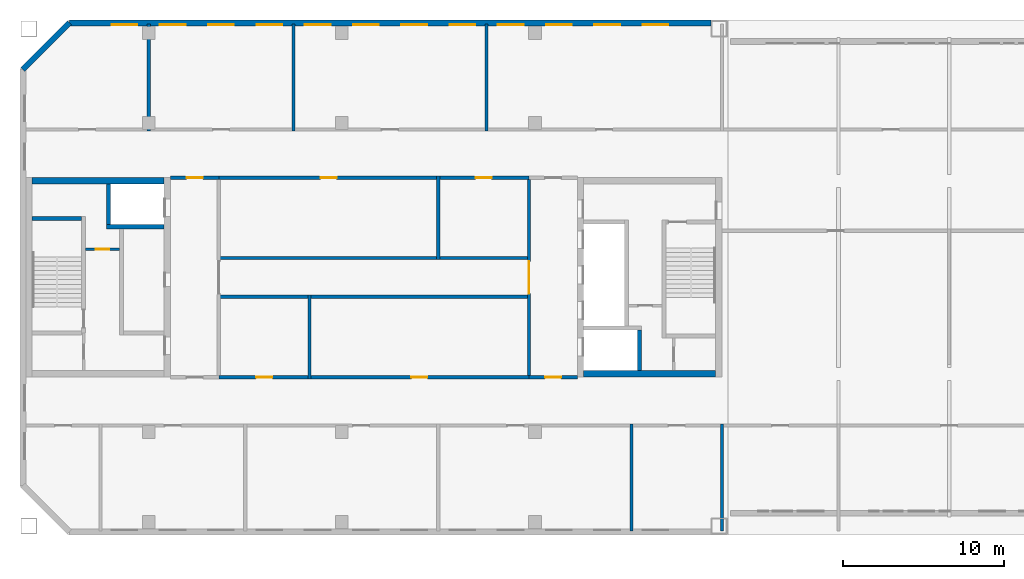
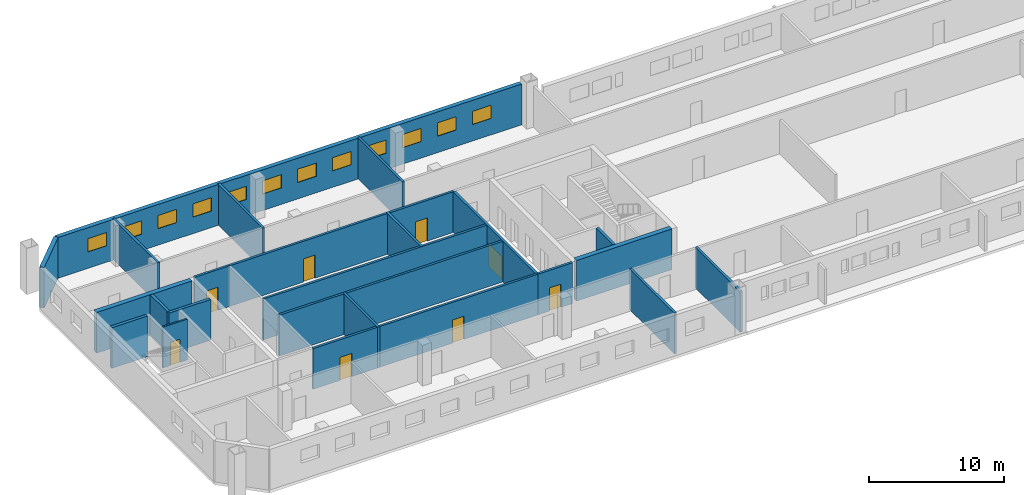
# One storey, part 3 of 13: 23 walls, 12 windows, 8 doors, 20 openings.
"""IFC4 building model written with IfcOpenShell, lengths in metres."""

from ifc_helpers import new_model, si_unit, direction, frame, frame_2d, origin, place, context, subcontext, project, spatial, rectangle, extrude, material, layer, layer_set, type_object, element, fill, save


model = new_model("IFC4")

# Units and contexts
model_context = context("Model", 3, precision=1e-05, world=origin(), true_north=direction((0.0, 1.0)))
body_context = subcontext(model_context, "Body", "Model", "MODEL_VIEW")
ifc_project = project(units=[si_unit("LENGTHUNIT", "METRE"), si_unit("AREAUNIT", "SQUARE_METRE"), si_unit("VOLUMEUNIT", "CUBIC_METRE"), si_unit("PLANEANGLEUNIT", "RADIAN"), si_unit("MASSUNIT", "GRAM", prefix="KILO")], contexts=[model_context])

# Site, building, storey
site_placement = place(None, origin())
site = spatial("IfcSite", under=ifc_project, at=site_placement, CompositionType="ELEMENT")
building_placement = place(site_placement, origin())
building = spatial("IfcBuilding", under=site, at=building_placement, Name="Tuart Gate Housing", CompositionType="ELEMENT")
storey_placement = place(building_placement, frame((0.0, 0.0, 198.60009765625)))
storey = spatial("IfcBuildingStorey", under=building, at=storey_placement, Name="L56", CompositionType="ELEMENT", Elevation=198.60009765625)

# Wall, openings, windows
ifc_material_1 = material(Name="Brick", Category="masonry")
ifc_layer_1 = layer(ifc_material_1, 0.360107421875)
ifc_layer_set_1 = layer_set([ifc_layer_1], Name="Brick pier and spandrel wall 360")
wall_type_1 = type_object("IfcWallType", Name="Brick pier and spandrel wall 360", PredefinedType="STANDARD", material=ifc_layer_set_1)
wall_1_placement = place(storey_placement, frame((74.949951171875, 85.820068359375, 0.0), z_axis=(0.0, 0.0, 1.0), x_axis=(-1.0, 0.0, 0.0)))
wall_1 = element("IfcWall", 1, at=wall_1_placement, inside=storey, type_object=wall_type_1, Name="External wall BLK-N L56", PredefinedType="STANDARD", context=body_context, shape_type="SweptSolid", body=[
    extrude(rectangle(XDim=39.87548828125, YDim=0.360107421875, at=frame_2d((19.937744140625, 0.0))), origin(), (0.0, 0.0, 1.0), 3.699951171875),
])
opening_1_placement = place(wall_1_placement, frame((2.64990234375, 0.0, 1.5)))
opening_1 = element("IfcOpeningElement", 2, at=opening_1_placement, cuts=wall_1, Name="Opening W3", PredefinedType="OPENING", context=body_context, shape_type="SweptSolid", body=[
    extrude(rectangle(XDim=1.60009765625, YDim=1.199951171875, at=frame_2d((0.800048828125, 0.60009765625))), frame((0.0, 0.18994140625, 0.0), z_axis=(0.0, -1.0, 0.0), x_axis=(1.0, 0.0, 0.0)), (0.0, 0.0, 1.0), 0.380126953125),
])
opening_2_placement = place(wall_1_placement, frame((5.64990234375, 0.0, 1.5)))
opening_2 = element("IfcOpeningElement", 3, at=opening_2_placement, cuts=wall_1, Name="Opening W3", PredefinedType="OPENING", context=body_context, shape_type="SweptSolid", body=[
    extrude(rectangle(XDim=1.60009765625, YDim=1.199951171875, at=frame_2d((0.800048828125, 0.60009765625))), frame((0.0, 0.18994140625, 0.0), z_axis=(0.0, -1.0, 0.0), x_axis=(1.0, 0.0, 0.0)), (0.0, 0.0, 1.0), 0.380126953125),
])
opening_3_placement = place(wall_1_placement, frame((8.64990234375, 0.0, 1.5)))
opening_3 = element("IfcOpeningElement", 4, at=opening_3_placement, cuts=wall_1, Name="Opening W3", PredefinedType="OPENING", context=body_context, shape_type="SweptSolid", body=[
    extrude(rectangle(XDim=1.60009765625, YDim=1.199951171875, at=frame_2d((0.800048828125, 0.60009765625))), frame((0.0, 0.18994140625, 0.0), z_axis=(0.0, -1.0, 0.0), x_axis=(1.0, 0.0, 0.0)), (0.0, 0.0, 1.0), 0.380126953125),
])
opening_4_placement = place(wall_1_placement, frame((11.64990234375, 0.0, 1.5)))
opening_4 = element("IfcOpeningElement", 5, at=opening_4_placement, cuts=wall_1, Name="Opening W3", PredefinedType="OPENING", context=body_context, shape_type="SweptSolid", body=[
    extrude(rectangle(XDim=1.60009765625, YDim=1.199951171875, at=frame_2d((0.800048828125, 0.60009765625))), frame((0.0, 0.18994140625, 0.0), z_axis=(0.0, -1.0, 0.0), x_axis=(1.0, 0.0, 0.0)), (0.0, 0.0, 1.0), 0.380126953125),
])
opening_5_placement = place(wall_1_placement, frame((14.64990234375, 0.0, 1.5)))
opening_5 = element("IfcOpeningElement", 6, at=opening_5_placement, cuts=wall_1, Name="Opening W3", PredefinedType="OPENING", context=body_context, shape_type="SweptSolid", body=[
    extrude(rectangle(XDim=1.60009765625, YDim=1.199951171875, at=frame_2d((0.800048828125, 0.60009765625))), frame((0.0, 0.18994140625, 0.0), z_axis=(0.0, -1.0, 0.0), x_axis=(1.0, 0.0, 0.0)), (0.0, 0.0, 1.0), 0.380126953125),
])
opening_6_placement = place(wall_1_placement, frame((17.64990234375, 0.0, 1.5)))
opening_6 = element("IfcOpeningElement", 7, at=opening_6_placement, cuts=wall_1, Name="Opening W3", PredefinedType="OPENING", context=body_context, shape_type="SweptSolid", body=[
    extrude(rectangle(XDim=1.60009765625, YDim=1.199951171875, at=frame_2d((0.800048828125, 0.60009765625))), frame((0.0, 0.18994140625, 0.0), z_axis=(0.0, -1.0, 0.0), x_axis=(1.0, 0.0, 0.0)), (0.0, 0.0, 1.0), 0.380126953125),
])
opening_7_placement = place(wall_1_placement, frame((20.64990234375, 0.0, 1.5)))
opening_7 = element("IfcOpeningElement", 8, at=opening_7_placement, cuts=wall_1, Name="Opening W3", PredefinedType="OPENING", context=body_context, shape_type="SweptSolid", body=[
    extrude(rectangle(XDim=1.60009765625, YDim=1.199951171875, at=frame_2d((0.800048828125, 0.60009765625))), frame((0.0, 0.18994140625, 0.0), z_axis=(0.0, -1.0, 0.0), x_axis=(1.0, 0.0, 0.0)), (0.0, 0.0, 1.0), 0.380126953125),
])
opening_8_placement = place(wall_1_placement, frame((23.64990234375, 0.0, 1.5)))
opening_8 = element("IfcOpeningElement", 9, at=opening_8_placement, cuts=wall_1, Name="Opening W3", PredefinedType="OPENING", context=body_context, shape_type="SweptSolid", body=[
    extrude(rectangle(XDim=1.60009765625, YDim=1.199951171875, at=frame_2d((0.800048828125, 0.60009765625))), frame((0.0, 0.18994140625, 0.0), z_axis=(0.0, -1.0, 0.0), x_axis=(1.0, 0.0, 0.0)), (0.0, 0.0, 1.0), 0.380126953125),
])
opening_9_placement = place(wall_1_placement, frame((26.64990234375, 0.0, 1.5)))
opening_9 = element("IfcOpeningElement", 10, at=opening_9_placement, cuts=wall_1, Name="Opening W3", PredefinedType="OPENING", context=body_context, shape_type="SweptSolid", body=[
    extrude(rectangle(XDim=1.60009765625, YDim=1.199951171875, at=frame_2d((0.800048828125, 0.60009765625))), frame((0.0, 0.18994140625, 0.0), z_axis=(0.0, -1.0, 0.0), x_axis=(1.0, 0.0, 0.0)), (0.0, 0.0, 1.0), 0.380126953125),
])
opening_10_placement = place(wall_1_placement, frame((29.64990234375, 0.0, 1.5)))
opening_10 = element("IfcOpeningElement", 11, at=opening_10_placement, cuts=wall_1, Name="Opening W3", PredefinedType="OPENING", context=body_context, shape_type="SweptSolid", body=[
    extrude(rectangle(XDim=1.60009765625, YDim=1.199951171875, at=frame_2d((0.800048828125, 0.60009765625))), frame((0.0, 0.18994140625, 0.0), z_axis=(0.0, -1.0, 0.0), x_axis=(1.0, 0.0, 0.0)), (0.0, 0.0, 1.0), 0.380126953125),
])
opening_11_placement = place(wall_1_placement, frame((32.64990234375, 0.0, 1.5)))
opening_11 = element("IfcOpeningElement", 12, at=opening_11_placement, cuts=wall_1, Name="Opening W3", PredefinedType="OPENING", context=body_context, shape_type="SweptSolid", body=[
    extrude(rectangle(XDim=1.60009765625, YDim=1.199951171875, at=frame_2d((0.800048828125, 0.60009765625))), frame((0.0, 0.18994140625, 0.0), z_axis=(0.0, -1.0, 0.0), x_axis=(1.0, 0.0, 0.0)), (0.0, 0.0, 1.0), 0.380126953125),
])
opening_12_placement = place(wall_1_placement, frame((35.64990234375, 0.0, 1.5)))
opening_12 = element("IfcOpeningElement", 13, at=opening_12_placement, cuts=wall_1, Name="Opening W3", PredefinedType="OPENING", context=body_context, shape_type="SweptSolid", body=[
    extrude(rectangle(XDim=1.60009765625, YDim=1.199951171875, at=frame_2d((0.800048828125, 0.60009765625))), frame((0.0, 0.18994140625, 0.0), z_axis=(0.0, -1.0, 0.0), x_axis=(1.0, 0.0, 0.0)), (0.0, 0.0, 1.0), 0.380126953125),
])
ifc_material_2 = material(Name="Aluminium louvre blades", Category="aluminium")
window_type = type_object("IfcWindowType", Name="Louvre window 1600 x 1200", PartitioningType="DOUBLE_PANEL_HORIZONTAL", PredefinedType="WINDOW", material=ifc_material_2)
window_1_placement = place(opening_1_placement, origin())
window_1 = element("IfcWindow", 14, at=window_1_placement, inside=storey, type_object=window_type, Name="Louvre W3", OverallHeight=1.199951171875, OverallWidth=1.60009765625, PartitioningType="DOUBLE_PANEL_HORIZONTAL", PredefinedType="WINDOW", context=body_context, shape_type="SweptSolid", body=[
    extrude(rectangle(XDim=1.60009765625, YDim=1.199951171875, at=frame_2d((0.800048828125, 0.60009765625))), frame((0.0, 0.150146484375, 0.0), z_axis=(0.0, -1.0, 0.0), x_axis=(1.0, 0.0, 0.0)), (0.0, 0.0, 1.0), 0.06005859375),
])
fill(opening_1, window_1)
window_2_placement = place(opening_2_placement, origin())
window_2 = element("IfcWindow", 15, at=window_2_placement, inside=storey, type_object=window_type, Name="Louvre W3", OverallHeight=1.199951171875, OverallWidth=1.60009765625, PartitioningType="DOUBLE_PANEL_HORIZONTAL", PredefinedType="WINDOW", context=body_context, shape_type="SweptSolid", body=[
    extrude(rectangle(XDim=1.60009765625, YDim=1.199951171875, at=frame_2d((0.800048828125, 0.60009765625))), frame((0.0, 0.150146484375, 0.0), z_axis=(0.0, -1.0, 0.0), x_axis=(1.0, 0.0, 0.0)), (0.0, 0.0, 1.0), 0.06005859375),
])
fill(opening_2, window_2)
window_3_placement = place(opening_3_placement, origin())
window_3 = element("IfcWindow", 16, at=window_3_placement, inside=storey, type_object=window_type, Name="Louvre W3", OverallHeight=1.199951171875, OverallWidth=1.60009765625, PartitioningType="DOUBLE_PANEL_HORIZONTAL", PredefinedType="WINDOW", context=body_context, shape_type="SweptSolid", body=[
    extrude(rectangle(XDim=1.60009765625, YDim=1.199951171875, at=frame_2d((0.800048828125, 0.60009765625))), frame((0.0, 0.150146484375, 0.0), z_axis=(0.0, -1.0, 0.0), x_axis=(1.0, 0.0, 0.0)), (0.0, 0.0, 1.0), 0.06005859375),
])
fill(opening_3, window_3)
window_4_placement = place(opening_4_placement, origin())
window_4 = element("IfcWindow", 17, at=window_4_placement, inside=storey, type_object=window_type, Name="Louvre W3", OverallHeight=1.199951171875, OverallWidth=1.60009765625, PartitioningType="DOUBLE_PANEL_HORIZONTAL", PredefinedType="WINDOW", context=body_context, shape_type="SweptSolid", body=[
    extrude(rectangle(XDim=1.60009765625, YDim=1.199951171875, at=frame_2d((0.800048828125, 0.60009765625))), frame((0.0, 0.150146484375, 0.0), z_axis=(0.0, -1.0, 0.0), x_axis=(1.0, 0.0, 0.0)), (0.0, 0.0, 1.0), 0.06005859375),
])
fill(opening_4, window_4)
window_5_placement = place(opening_5_placement, origin())
window_5 = element("IfcWindow", 18, at=window_5_placement, inside=storey, type_object=window_type, Name="Louvre W3", OverallHeight=1.199951171875, OverallWidth=1.60009765625, PartitioningType="DOUBLE_PANEL_HORIZONTAL", PredefinedType="WINDOW", context=body_context, shape_type="SweptSolid", body=[
    extrude(rectangle(XDim=1.60009765625, YDim=1.199951171875, at=frame_2d((0.800048828125, 0.60009765625))), frame((0.0, 0.150146484375, 0.0), z_axis=(0.0, -1.0, 0.0), x_axis=(1.0, 0.0, 0.0)), (0.0, 0.0, 1.0), 0.06005859375),
])
fill(opening_5, window_5)
window_6_placement = place(opening_6_placement, origin())
window_6 = element("IfcWindow", 19, at=window_6_placement, inside=storey, type_object=window_type, Name="Louvre W3", OverallHeight=1.199951171875, OverallWidth=1.60009765625, PartitioningType="DOUBLE_PANEL_HORIZONTAL", PredefinedType="WINDOW", context=body_context, shape_type="SweptSolid", body=[
    extrude(rectangle(XDim=1.60009765625, YDim=1.199951171875, at=frame_2d((0.800048828125, 0.60009765625))), frame((0.0, 0.150146484375, 0.0), z_axis=(0.0, -1.0, 0.0), x_axis=(1.0, 0.0, 0.0)), (0.0, 0.0, 1.0), 0.06005859375),
])
fill(opening_6, window_6)
window_7_placement = place(opening_7_placement, origin())
window_7 = element("IfcWindow", 20, at=window_7_placement, inside=storey, type_object=window_type, Name="Louvre W3", OverallHeight=1.199951171875, OverallWidth=1.60009765625, PartitioningType="DOUBLE_PANEL_HORIZONTAL", PredefinedType="WINDOW", context=body_context, shape_type="SweptSolid", body=[
    extrude(rectangle(XDim=1.60009765625, YDim=1.199951171875, at=frame_2d((0.800048828125, 0.60009765625))), frame((0.0, 0.150146484375, 0.0), z_axis=(0.0, -1.0, 0.0), x_axis=(1.0, 0.0, 0.0)), (0.0, 0.0, 1.0), 0.06005859375),
])
fill(opening_7, window_7)
window_8_placement = place(opening_8_placement, origin())
window_8 = element("IfcWindow", 21, at=window_8_placement, inside=storey, type_object=window_type, Name="Louvre W3", OverallHeight=1.199951171875, OverallWidth=1.60009765625, PartitioningType="DOUBLE_PANEL_HORIZONTAL", PredefinedType="WINDOW", context=body_context, shape_type="SweptSolid", body=[
    extrude(rectangle(XDim=1.60009765625, YDim=1.199951171875, at=frame_2d((0.800048828125, 0.60009765625))), frame((0.0, 0.150146484375, 0.0), z_axis=(0.0, -1.0, 0.0), x_axis=(1.0, 0.0, 0.0)), (0.0, 0.0, 1.0), 0.06005859375),
])
fill(opening_8, window_8)
window_9_placement = place(opening_9_placement, origin())
window_9 = element("IfcWindow", 22, at=window_9_placement, inside=storey, type_object=window_type, Name="Louvre W3", OverallHeight=1.199951171875, OverallWidth=1.60009765625, PartitioningType="DOUBLE_PANEL_HORIZONTAL", PredefinedType="WINDOW", context=body_context, shape_type="SweptSolid", body=[
    extrude(rectangle(XDim=1.60009765625, YDim=1.199951171875, at=frame_2d((0.800048828125, 0.60009765625))), frame((0.0, 0.150146484375, 0.0), z_axis=(0.0, -1.0, 0.0), x_axis=(1.0, 0.0, 0.0)), (0.0, 0.0, 1.0), 0.06005859375),
])
fill(opening_9, window_9)
window_10_placement = place(opening_10_placement, origin())
window_10 = element("IfcWindow", 23, at=window_10_placement, inside=storey, type_object=window_type, Name="Louvre W3", OverallHeight=1.199951171875, OverallWidth=1.60009765625, PartitioningType="DOUBLE_PANEL_HORIZONTAL", PredefinedType="WINDOW", context=body_context, shape_type="SweptSolid", body=[
    extrude(rectangle(XDim=1.60009765625, YDim=1.199951171875, at=frame_2d((0.800048828125, 0.60009765625))), frame((0.0, 0.150146484375, 0.0), z_axis=(0.0, -1.0, 0.0), x_axis=(1.0, 0.0, 0.0)), (0.0, 0.0, 1.0), 0.06005859375),
])
fill(opening_10, window_10)
window_11_placement = place(opening_11_placement, origin())
window_11 = element("IfcWindow", 24, at=window_11_placement, inside=storey, type_object=window_type, Name="Louvre W3", OverallHeight=1.199951171875, OverallWidth=1.60009765625, PartitioningType="DOUBLE_PANEL_HORIZONTAL", PredefinedType="WINDOW", context=body_context, shape_type="SweptSolid", body=[
    extrude(rectangle(XDim=1.60009765625, YDim=1.199951171875, at=frame_2d((0.800048828125, 0.60009765625))), frame((0.0, 0.150146484375, 0.0), z_axis=(0.0, -1.0, 0.0), x_axis=(1.0, 0.0, 0.0)), (0.0, 0.0, 1.0), 0.06005859375),
])
fill(opening_11, window_11)
window_12_placement = place(opening_12_placement, origin())
window_12 = element("IfcWindow", 25, at=window_12_placement, inside=storey, type_object=window_type, Name="Louvre W3", OverallHeight=1.199951171875, OverallWidth=1.60009765625, PartitioningType="DOUBLE_PANEL_HORIZONTAL", PredefinedType="WINDOW", context=body_context, shape_type="SweptSolid", body=[
    extrude(rectangle(XDim=1.60009765625, YDim=1.199951171875, at=frame_2d((0.800048828125, 0.60009765625))), frame((0.0, 0.150146484375, 0.0), z_axis=(0.0, -1.0, 0.0), x_axis=(1.0, 0.0, 0.0)), (0.0, 0.0, 1.0), 0.06005859375),
])
fill(opening_12, window_12)

# Wall
wall_2_placement = place(storey_placement, frame((35.07470703125, 85.820068359375, 0.0), z_axis=(0.0, 0.0, 1.0), x_axis=(-0.707106781187, -0.707106781187, 0.0)))
element("IfcWall", 26, at=wall_2_placement, inside=storey, type_object=wall_type_1, Name="External wall BLK-NW L56", PredefinedType="STANDARD", context=body_context, shape_type="SweptSolid", body=[
    extrude(rectangle(XDim=4.09375, YDim=0.360107421875, at=frame_2d((2.046875, 0.0))), origin(), (0.0, 0.0, 1.0), 3.699951171875),
])

# Wall, opening, door
ifc_material_3 = material(Name="Plasterboard partition")
ifc_layer_2 = layer(ifc_material_3, 0.14990234375)
ifc_layer_set_2 = layer_set([ifc_layer_2], Name="Core partition 150")
wall_type_2 = type_object("IfcWallType", Name="Core partition 150", PredefinedType="PARTITIONING", material=ifc_layer_set_2)
wall_3_placement = place(storey_placement, frame((38.18505859375, 71.75, 0.0), z_axis=(0.0, 0.0, 1.0), x_axis=(-1.0, 0.0, 0.0)))
wall_3 = element("IfcWall", 27, at=wall_3_placement, inside=storey, type_object=wall_type_2, Name="Core partition AK.3", PredefinedType="PARTITIONING", context=body_context, shape_type="SweptSolid", body=[
    extrude(rectangle(XDim=2.10009765625, YDim=0.14990234375, at=frame_2d((1.050048828125, 0.0))), origin(), (0.0, 0.0, 1.0), 3.699951171875),
])
opening_13_placement = place(wall_3_placement, frame((0.625, 0.0, 0.0)))
opening_13 = element("IfcOpeningElement", 28, at=opening_13_placement, cuts=wall_3, Name="Opening D3571", PredefinedType="OPENING", context=body_context, shape_type="SweptSolid", body=[
    extrude(rectangle(XDim=0.85009765625, YDim=2.10009765625, at=frame_2d((0.425048828125, 1.050048828125))), frame((0.0, 0.0849609375, 0.0), z_axis=(0.0, -1.0, 0.0), x_axis=(1.0, 0.0, 0.0)), (0.0, 0.0, 1.0), 0.169921875),
])
ifc_material_4 = material(Name="Steel fire door", Category="steel")
door_type_1 = type_object("IfcDoorType", Name="Riser door 850 x 2100 RH", OperationType="SINGLE_SWING_RIGHT", PredefinedType="DOOR", material=ifc_material_4)
door_1_placement = place(opening_13_placement, frame((0.85009765625, 0.0, 0.0), z_axis=(0.0, 0.0, 1.0), x_axis=(-1.0, 0.0, 0.0)))
door_1 = element("IfcDoor", 29, at=door_1_placement, inside=storey, type_object=door_type_1, Name="Service room door AK.E1", OperationType="SINGLE_SWING_RIGHT", OverallHeight=2.10009765625, OverallWidth=0.85009765625, PredefinedType="DOOR", context=body_context, shape_type="SweptSolid", body=[
    extrude(rectangle(XDim=0.85009765625, YDim=2.10009765625, at=frame_2d((0.425048828125, 1.050048828125))), frame((0.0, 0.025146484375, 0.0), z_axis=(0.0, -1.0, 0.0), x_axis=(1.0, 0.0, 0.0)), (0.0, 0.0, 1.0), 0.050048828125),
])
fill(opening_13, door_1)

# Walls
ifc_material_5 = material(Name="Concrete C40", Category="concrete")
ifc_layer_3 = layer(ifc_material_5, 0.25)
ifc_layer_set_3 = layer_set([ifc_layer_3], Name="Core wall 250 C40")
wall_type_3 = type_object("IfcWallType", Name="Core wall 250 C40", PredefinedType="SHEAR", material=ifc_layer_set_3)
wall_4_placement = place(storey_placement, frame((70.510009765625, 64.199951171875, 0.0), z_axis=(0.0, 0.0, 1.0), x_axis=(0.0, 1.0, 0.0)))
element("IfcWall", 30, at=wall_4_placement, inside=storey, type_object=wall_type_3, Name="Core wall AG.7", PredefinedType="SHEAR", context=body_context, shape_type="SweptSolid", body=[
    extrude(rectangle(XDim=2.525146484375, YDim=0.25, at=frame_2d((1.2626953125, 0.0))), origin(), (0.0, 0.0, 1.0), 3.699951171875),
])
wall_5_placement = place(storey_placement, frame((35.8349609375, 73.64990234375, 0.0), z_axis=(0.0, 0.0, 1.0), x_axis=(-1.0, 0.0, 0.0)))
element("IfcWall", 31, at=wall_5_placement, inside=storey, type_object=wall_type_3, Name="Core wall AK.1", PredefinedType="SHEAR", context=body_context, shape_type="SweptSolid", body=[
    extrude(rectangle(XDim=3.074951171875, YDim=0.25, at=frame_2d((1.53759765625, 0.0))), origin(), (0.0, 0.0, 1.0), 3.699951171875),
])
wall_6_placement = place(storey_placement, frame((40.9599609375, 73.14990234375, 0.0), z_axis=(0.0, 0.0, 1.0), x_axis=(-1.0, 0.0, 0.0)))
element("IfcWall", 32, at=wall_6_placement, inside=storey, type_object=wall_type_3, Name="Core wall AK.2", PredefinedType="SHEAR", context=body_context, shape_type="SweptSolid", body=[
    extrude(rectangle(XDim=3.594970703125, YDim=0.25, at=frame_2d((1.79736328125, 0.0))), origin(), (0.0, 0.0, 1.0), 3.699951171875),
])
wall_7_placement = place(storey_placement, frame((37.489990234375, 75.800048828125, 0.0), z_axis=(0.0, 0.0, 1.0), x_axis=(0.0, -1.0, 0.0)))
element("IfcWall", 33, at=wall_7_placement, inside=storey, type_object=wall_type_3, Name="Core wall AK.7", PredefinedType="SHEAR", context=body_context, shape_type="SweptSolid", body=[
    extrude(rectangle(XDim=2.525146484375, YDim=0.25, at=frame_2d((1.2626953125, 0.0))), origin(), (0.0, 0.0, 1.0), 3.699951171875),
])
ifc_material_6 = material(Name="Concrete C40", Category="concrete")
ifc_layer_4 = layer(ifc_material_6, 0.39990234375)
ifc_layer_set_4 = layer_set([ifc_layer_4], Name="Core wall 400 C40")
wall_type_4 = type_object("IfcWallType", Name="Core wall 400 C40", PredefinedType="SHEAR", material=ifc_layer_set_4)
for number, where, z_axis, x_axis, name in (
    (34, (67.0400390625, 64.0, 0.0), (0.0, 0.0, 1.0), (1.0, 0.0, 0.0), "Core wall AG south"),
    (35, (40.9599609375, 76.0, 0.0), (0.0, 0.0, 1.0), (-1.0, 0.0, 0.0), "Core wall AK south"),
):
    element("IfcWall", number, at=place(storey_placement, frame(where, z_axis=z_axis, x_axis=x_axis)), inside=storey, type_object=wall_type_4, Name=name, PredefinedType="SHEAR", context=body_context, shape_type="SweptSolid", body=[
        extrude(rectangle(XDim=8.199951171875, YDim=0.39990234375, at=frame_2d((4.10009765625, 0.0))), origin(), (0.0, 0.0, 1.0), 3.699951171875),
    ])

# Wall, openings, doors
ifc_material_7 = material(Name="Concrete masonry 15 MPa", Category="masonry")
ifc_layer_5 = layer(ifc_material_7, 0.199951171875)
ifc_layer_set_5 = layer_set([ifc_layer_5], Name="Enclosure wall masonry 200")
wall_type_5 = type_object("IfcWallType", Name="Enclosure wall masonry 200", PredefinedType="PARTITIONING", material=ifc_layer_set_5)
wall_8_placement = place(storey_placement, frame((44.360107421875, 63.800048828125, 0.0), z_axis=(0.0, 0.0, 1.0), x_axis=(1.0, 0.0, 0.0)))
wall_8 = element("IfcWall", 36, at=wall_8_placement, inside=storey, type_object=wall_type_5, Name="Enclosure wall masonry 200", PredefinedType="PARTITIONING", context=body_context, shape_type="SweptSolid", body=[
    extrude(rectangle(XDim=19.27978515625, YDim=0.199951171875, at=frame_2d((9.639892578125, 0.0))), origin(), (0.0, 0.0, 1.0), 3.699951171875),
])
opening_14_placement = place(wall_8_placement, frame((2.320068359375, 0.0, 0.0)))
opening_14 = element("IfcOpeningElement", 37, at=opening_14_placement, cuts=wall_8, Name="Opening D3583", PredefinedType="OPENING", context=body_context, shape_type="SweptSolid", body=[
    extrude(rectangle(XDim=1.0, YDim=2.10009765625, at=frame_2d((0.5, 1.050048828125))), frame((0.0, 0.10986328125, 0.0), z_axis=(0.0, -1.0, 0.0), x_axis=(1.0, 0.0, 0.0)), (0.0, 0.0, 1.0), 0.219970703125),
])
opening_15_placement = place(wall_8_placement, frame((11.9599609375, 0.0, 0.0)))
opening_15 = element("IfcOpeningElement", 38, at=opening_15_placement, cuts=wall_8, Name="Opening D3584", PredefinedType="OPENING", context=body_context, shape_type="SweptSolid", body=[
    extrude(rectangle(XDim=1.0, YDim=2.10009765625, at=frame_2d((0.5, 1.050048828125))), frame((0.0, 0.10986328125, 0.0), z_axis=(0.0, -1.0, 0.0), x_axis=(1.0, 0.0, 0.0)), (0.0, 0.0, 1.0), 0.219970703125),
])
ifc_material_8 = material(Name="Timber door leaf in steel frame", Category="steel")
door_type_2 = type_object("IfcDoorType", Name="Fire door 1000", OperationType="SINGLE_SWING_LEFT", PredefinedType="DOOR", material=ifc_material_8)
door_2_placement = place(opening_14_placement, origin())
door_2 = element("IfcDoor", 39, at=door_2_placement, inside=storey, type_object=door_type_2, Name="Fire door 1000", OperationType="SINGLE_SWING_LEFT", OverallHeight=2.10009765625, OverallWidth=1.0, PredefinedType="DOOR", context=body_context, shape_type="SweptSolid", body=[
    extrude(rectangle(XDim=1.0, YDim=2.10009765625, at=frame_2d((0.5, 1.050048828125))), frame((0.0, 0.02490234375, 0.0), z_axis=(0.0, -1.0, 0.0), x_axis=(1.0, 0.0, 0.0)), (0.0, 0.0, 1.0), 0.050048828125),
])
fill(opening_14, door_2)
door_3_placement = place(opening_15_placement, origin())
door_3 = element("IfcDoor", 40, at=door_3_placement, inside=storey, type_object=door_type_2, Name="Fire door 1000", OperationType="SINGLE_SWING_LEFT", OverallHeight=2.10009765625, OverallWidth=1.0, PredefinedType="DOOR", context=body_context, shape_type="SweptSolid", body=[
    extrude(rectangle(XDim=1.0, YDim=2.10009765625, at=frame_2d((0.5, 1.050048828125))), frame((0.0, 0.02490234375, 0.0), z_axis=(0.0, -1.0, 0.0), x_axis=(1.0, 0.0, 0.0)), (0.0, 0.0, 1.0), 0.050048828125),
])
fill(opening_15, door_3)

# Wall, opening, door
wall_9_placement = place(storey_placement, frame((63.639892578125, 63.800048828125, 0.0), z_axis=(0.0, 0.0, 1.0), x_axis=(1.0, 0.0, 0.0)))
wall_9 = element("IfcWall", 41, at=wall_9_placement, inside=storey, type_object=wall_type_5, Name="Enclosure wall masonry 200", PredefinedType="PARTITIONING", context=body_context, shape_type="SweptSolid", body=[
    extrude(rectangle(XDim=3.0, YDim=0.199951171875, at=frame_2d((1.5, 0.0))), origin(), (0.0, 0.0, 1.0), 3.699951171875),
])
opening_16_placement = place(wall_9_placement, frame((1.0, 0.0, 0.0)))
opening_16 = element("IfcOpeningElement", 42, at=opening_16_placement, cuts=wall_9, Name="Opening D3585", PredefinedType="OPENING", context=body_context, shape_type="SweptSolid", body=[
    extrude(rectangle(XDim=1.0, YDim=2.10009765625, at=frame_2d((0.5, 1.050048828125))), frame((0.0, 0.10986328125, 0.0), z_axis=(0.0, -1.0, 0.0), x_axis=(1.0, 0.0, 0.0)), (0.0, 0.0, 1.0), 0.219970703125),
])
ifc_material_9 = material(Name="Timber door leaf in steel frame", Category="steel")
door_type_3 = type_object("IfcDoorType", Name="Lobby door 1000", OperationType="SINGLE_SWING_LEFT", PredefinedType="DOOR", material=ifc_material_9)
door_4_placement = place(opening_16_placement, origin())
door_4 = element("IfcDoor", 43, at=door_4_placement, inside=storey, type_object=door_type_3, Name="Lobby door 1000", OperationType="SINGLE_SWING_LEFT", OverallHeight=2.10009765625, OverallWidth=1.0, PredefinedType="DOOR", context=body_context, shape_type="SweptSolid", body=[
    extrude(rectangle(XDim=1.0, YDim=2.10009765625, at=frame_2d((0.5, 1.050048828125))), frame((0.0, 0.02490234375, 0.0), z_axis=(0.0, -1.0, 0.0), x_axis=(1.0, 0.0, 0.0)), (0.0, 0.0, 1.0), 0.050048828125),
])
fill(opening_16, door_4)

# Walls
for number, where, z_axis, x_axis, name in (
    (44, (44.360107421875, 68.800048828125, 0.0), (0.0, 0.0, 1.0), (1.0, 0.0, 0.0), "Enclosure wall masonry 200"),
    (45, (44.360107421875, 71.199951171875, 0.0), (0.0, 0.0, 1.0), (1.0, 0.0, 0.0), "Enclosure wall masonry 200"),
):
    element("IfcWall", number, at=place(storey_placement, frame(where, z_axis=z_axis, x_axis=x_axis)), inside=storey, type_object=wall_type_5, Name=name, PredefinedType="PARTITIONING", context=body_context, shape_type="SweptSolid", body=[
        extrude(rectangle(XDim=19.27978515625, YDim=0.199951171875, at=frame_2d((9.639892578125, 0.0))), origin(), (0.0, 0.0, 1.0), 3.699951171875),
    ])

# Wall, openings, doors
wall_10_placement = place(storey_placement, frame((44.360107421875, 76.199951171875, 0.0), z_axis=(0.0, 0.0, 1.0), x_axis=(1.0, 0.0, 0.0)))
wall_10 = element("IfcWall", 46, at=wall_10_placement, inside=storey, type_object=wall_type_5, Name="Enclosure wall masonry 200", PredefinedType="PARTITIONING", context=body_context, shape_type="SweptSolid", body=[
    extrude(rectangle(XDim=19.27978515625, YDim=0.199951171875, at=frame_2d((9.639892578125, 0.0))), origin(), (0.0, 0.0, 1.0), 3.699951171875),
])
opening_17_placement = place(wall_10_placement, frame((6.320068359375, 0.0, 0.0)))
opening_17 = element("IfcOpeningElement", 47, at=opening_17_placement, cuts=wall_10, Name="Opening D3567", PredefinedType="OPENING", context=body_context, shape_type="SweptSolid", body=[
    extrude(rectangle(XDim=1.0, YDim=2.10009765625, at=frame_2d((0.5, 1.050048828125))), frame((0.0, 0.10986328125, 0.0), z_axis=(0.0, -1.0, 0.0), x_axis=(1.0, 0.0, 0.0)), (0.0, 0.0, 1.0), 0.219970703125),
])
opening_18_placement = place(wall_10_placement, frame((15.9599609375, 0.0, 0.0)))
opening_18 = element("IfcOpeningElement", 48, at=opening_18_placement, cuts=wall_10, Name="Opening D3568", PredefinedType="OPENING", context=body_context, shape_type="SweptSolid", body=[
    extrude(rectangle(XDim=1.0, YDim=2.10009765625, at=frame_2d((0.5, 1.050048828125))), frame((0.0, 0.10986328125, 0.0), z_axis=(0.0, -1.0, 0.0), x_axis=(1.0, 0.0, 0.0)), (0.0, 0.0, 1.0), 0.219970703125),
])
ifc_material_10 = material(Name="Timber door leaf in steel frame", Category="steel")
door_type_4 = type_object("IfcDoorType", Name="Fire door 1000 RH", OperationType="SINGLE_SWING_RIGHT", PredefinedType="DOOR", material=ifc_material_10)
door_5_placement = place(opening_17_placement, frame((1.0, 0.0, 0.0), z_axis=(0.0, 0.0, 1.0), x_axis=(-1.0, 0.0, 0.0)))
door_5 = element("IfcDoor", 49, at=door_5_placement, inside=storey, type_object=door_type_4, Name="Fire door 1000", OperationType="SINGLE_SWING_RIGHT", OverallHeight=2.10009765625, OverallWidth=1.0, PredefinedType="DOOR", context=body_context, shape_type="SweptSolid", body=[
    extrude(rectangle(XDim=1.0, YDim=2.10009765625, at=frame_2d((0.5, 1.050048828125))), frame((0.0, 0.025146484375, 0.0), z_axis=(0.0, -1.0, 0.0), x_axis=(1.0, 0.0, 0.0)), (0.0, 0.0, 1.0), 0.050048828125),
])
fill(opening_17, door_5)
door_6_placement = place(opening_18_placement, frame((1.0, 0.0, 0.0), z_axis=(0.0, 0.0, 1.0), x_axis=(-1.0, 0.0, 0.0)))
door_6 = element("IfcDoor", 50, at=door_6_placement, inside=storey, type_object=door_type_4, Name="Fire door 1000", OperationType="SINGLE_SWING_RIGHT", OverallHeight=2.10009765625, OverallWidth=1.0, PredefinedType="DOOR", context=body_context, shape_type="SweptSolid", body=[
    extrude(rectangle(XDim=1.0, YDim=2.10009765625, at=frame_2d((0.5, 1.050048828125))), frame((0.0, 0.025146484375, 0.0), z_axis=(0.0, -1.0, 0.0), x_axis=(1.0, 0.0, 0.0)), (0.0, 0.0, 1.0), 0.050048828125),
])
fill(opening_18, door_6)

# Wall, opening, door
wall_11_placement = place(storey_placement, frame((41.360107421875, 76.199951171875, 0.0), z_axis=(0.0, 0.0, 1.0), x_axis=(1.0, 0.0, 0.0)))
wall_11 = element("IfcWall", 51, at=wall_11_placement, inside=storey, type_object=wall_type_5, Name="Enclosure wall masonry 200", PredefinedType="PARTITIONING", context=body_context, shape_type="SweptSolid", body=[
    extrude(rectangle(XDim=3.0, YDim=0.199951171875, at=frame_2d((1.5, 0.0))), origin(), (0.0, 0.0, 1.0), 3.699951171875),
])
opening_19_placement = place(wall_11_placement, frame((1.0, 0.0, 0.0)))
opening_19 = element("IfcOpeningElement", 52, at=opening_19_placement, cuts=wall_11, Name="Opening D3566", PredefinedType="OPENING", context=body_context, shape_type="SweptSolid", body=[
    extrude(rectangle(XDim=1.0, YDim=2.10009765625, at=frame_2d((0.5, 1.050048828125))), frame((0.0, 0.10986328125, 0.0), z_axis=(0.0, -1.0, 0.0), x_axis=(1.0, 0.0, 0.0)), (0.0, 0.0, 1.0), 0.219970703125),
])
door_7_placement = place(opening_19_placement, frame((1.0, 0.0, 0.0), z_axis=(0.0, 0.0, 1.0), x_axis=(-1.0, 0.0, 0.0)))
door_7 = element("IfcDoor", 53, at=door_7_placement, inside=storey, type_object=door_type_3, Name="Lobby door 1000", OperationType="SINGLE_SWING_LEFT", OverallHeight=2.10009765625, OverallWidth=1.0, PredefinedType="DOOR", context=body_context, shape_type="SweptSolid", body=[
    extrude(rectangle(XDim=1.0, YDim=2.10009765625, at=frame_2d((0.5, 1.050048828125))), frame((0.0, 0.025146484375, 0.0), z_axis=(0.0, -1.0, 0.0), x_axis=(1.0, 0.0, 0.0)), (0.0, 0.0, 1.0), 0.050048828125),
])
fill(opening_19, door_7)

# Walls
for number, where, z_axis, x_axis, name in (
    (54, (40.0, 79.10009765625, 0.0), (0.0, 0.0, 1.0), (0.0, 1.0, 0.0), "Enclosure wall masonry 200"),
    (55, (49.0, 79.10009765625, 0.0), (0.0, 0.0, 1.0), (0.0, 1.0, 0.0), "Enclosure wall masonry 200"),
):
    element("IfcWall", number, at=place(storey_placement, frame(where, z_axis=z_axis, x_axis=x_axis)), inside=storey, type_object=wall_type_5, Name=name, PredefinedType="PARTITIONING", context=body_context, shape_type="SweptSolid", body=[
        extrude(rectangle(XDim=6.659912109375, YDim=0.199951171875, at=frame_2d((3.330078125, 0.0))), origin(), (0.0, 0.0, 1.0), 3.699951171875),
    ])
for number, where, z_axis, x_axis, name in (
    (56, (50.0, 63.699951171875, 0.0), (0.0, 0.0, 1.0), (0.0, 1.0, 0.0), "Enclosure wall masonry 200"),
    (57, (58.0, 71.10009765625, 0.0), (0.0, 0.0, 1.0), (0.0, 1.0, 0.0), "Enclosure wall masonry 200"),
):
    element("IfcWall", number, at=place(storey_placement, frame(where, z_axis=z_axis, x_axis=x_axis)), inside=storey, type_object=wall_type_5, Name=name, PredefinedType="PARTITIONING", context=body_context, shape_type="SweptSolid", body=[
        extrude(rectangle(XDim=5.199951171875, YDim=0.199951171875, at=frame_2d((2.60009765625, 0.0))), origin(), (0.0, 0.0, 1.0), 3.699951171875),
    ])
for number, where, z_axis, x_axis, name in (
    (58, (61.0, 79.10009765625, 0.0), (0.0, 0.0, 1.0), (0.0, 1.0, 0.0), "Enclosure wall masonry 200"),
    (59, (70.0, 54.239990234375, 0.0), (0.0, 0.0, 1.0), (0.0, 1.0, 0.0), "Enclosure wall masonry 200"),
    (60, (75.639892578125, 54.239990234375, 0.0), (0.0, 0.0, 1.0), (0.0, 1.0, 0.0), "Enclosure wall masonry 200"),
):
    element("IfcWall", number, at=place(storey_placement, frame(where, z_axis=z_axis, x_axis=x_axis)), inside=storey, type_object=wall_type_5, Name=name, PredefinedType="PARTITIONING", context=body_context, shape_type="SweptSolid", body=[
        extrude(rectangle(XDim=6.659912109375, YDim=0.199951171875, at=frame_2d((3.330078125, 0.0))), origin(), (0.0, 0.0, 1.0), 3.699951171875),
    ])

# Wall, opening, door
ifc_material_11 = material(Name="Plasterboard partition")
ifc_layer_6 = layer(ifc_material_11, 0.199951171875)
ifc_layer_set_6 = layer_set([ifc_layer_6], Name="Lobby wall 200")
wall_type_6 = type_object("IfcWallType", Name="Lobby wall 200", PredefinedType="PARTITIONING", material=ifc_layer_set_6)
wall_12_placement = place(storey_placement, frame((63.639892578125, 63.89990234375, 0.0), z_axis=(0.0, 0.0, 1.0), x_axis=(0.0, 1.0, 0.0)))
wall_12 = element("IfcWall", 61, at=wall_12_placement, inside=storey, type_object=wall_type_6, Name="Lift lobby wall AG", PredefinedType="PARTITIONING", context=body_context, shape_type="SweptSolid", body=[
    extrude(rectangle(XDim=12.2001953125, YDim=0.199951171875, at=frame_2d((6.10009765625, 0.0))), origin(), (0.0, 0.0, 1.0), 3.699951171875),
])
opening_20_placement = place(wall_12_placement, frame((5.10009765625, 0.0, 0.0)))
opening_20 = element("IfcOpeningElement", 62, at=opening_20_placement, cuts=wall_12, Name="Opening D3576", PredefinedType="OPENING", context=body_context, shape_type="SweptSolid", body=[
    extrude(rectangle(XDim=2.0, YDim=2.10009765625, at=frame_2d((1.0, 1.050048828125))), frame((0.0, 0.10986328125, 0.0), z_axis=(0.0, -1.0, 0.0), x_axis=(1.0, 0.0, 0.0)), (0.0, 0.0, 1.0), 0.219970703125),
])
ifc_material_12 = material(Name="Steel fire door", Category="steel")
door_type_5 = type_object("IfcDoorType", Name="Smoke door 2000 x 2100", OperationType="DOUBLE_DOOR_SINGLE_SWING", PredefinedType="DOOR", material=ifc_material_12)
door_8_placement = place(opening_20_placement, frame((2.0, 0.0, 0.0), z_axis=(0.0, 0.0, 1.0), x_axis=(-1.0, 0.0, 0.0)))
door_8 = element("IfcDoor", 63, at=door_8_placement, inside=storey, type_object=door_type_5, Name="Lift lobby smoke door AG", OperationType="DOUBLE_DOOR_SINGLE_SWING", OverallHeight=2.10009765625, OverallWidth=2.0, PredefinedType="DOOR", context=body_context, shape_type="SweptSolid", body=[
    extrude(rectangle(XDim=2.0, YDim=2.10009765625, at=frame_2d((1.0, 1.050048828125))), frame((0.0, 0.025146484375, 0.0), z_axis=(0.0, -1.0, 0.0), x_axis=(1.0, 0.0, 0.0)), (0.0, 0.0, 1.0), 0.050048828125),
])
fill(opening_20, door_8)

save(model, "model.ifc")
